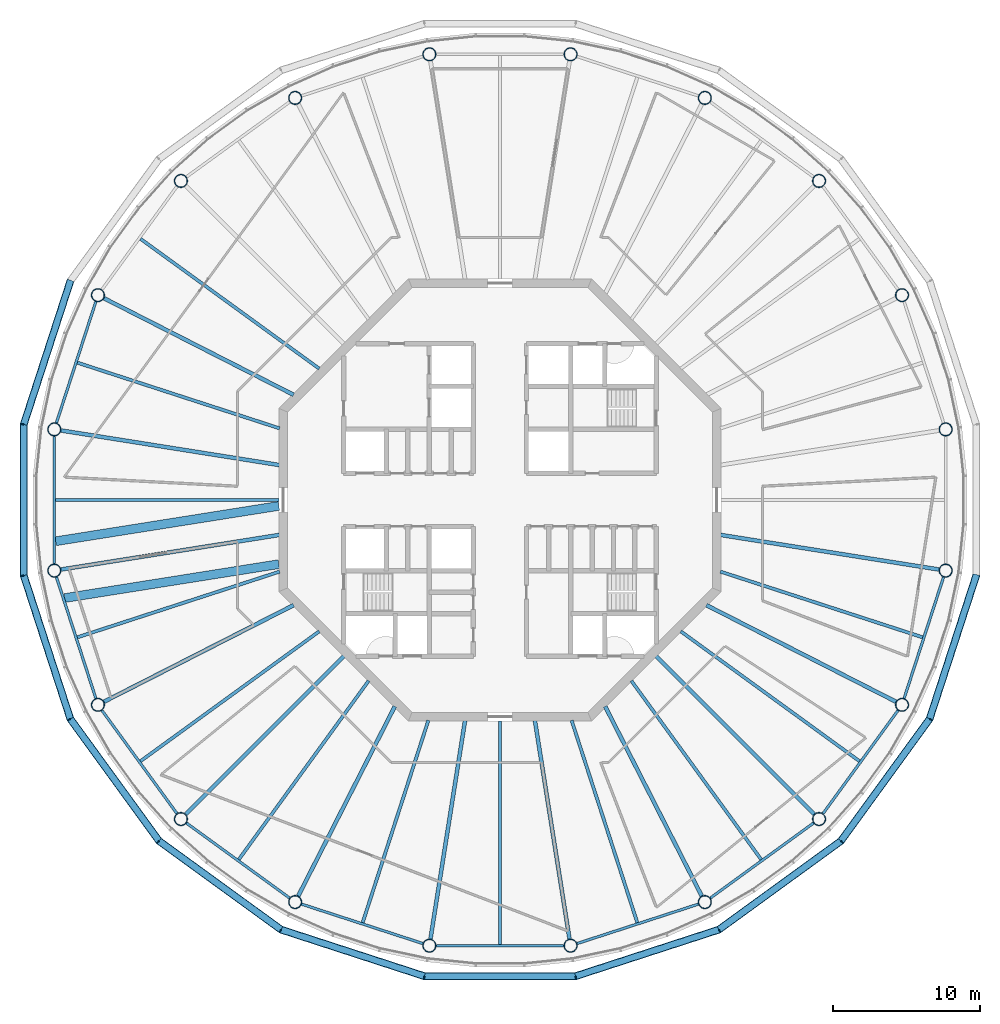
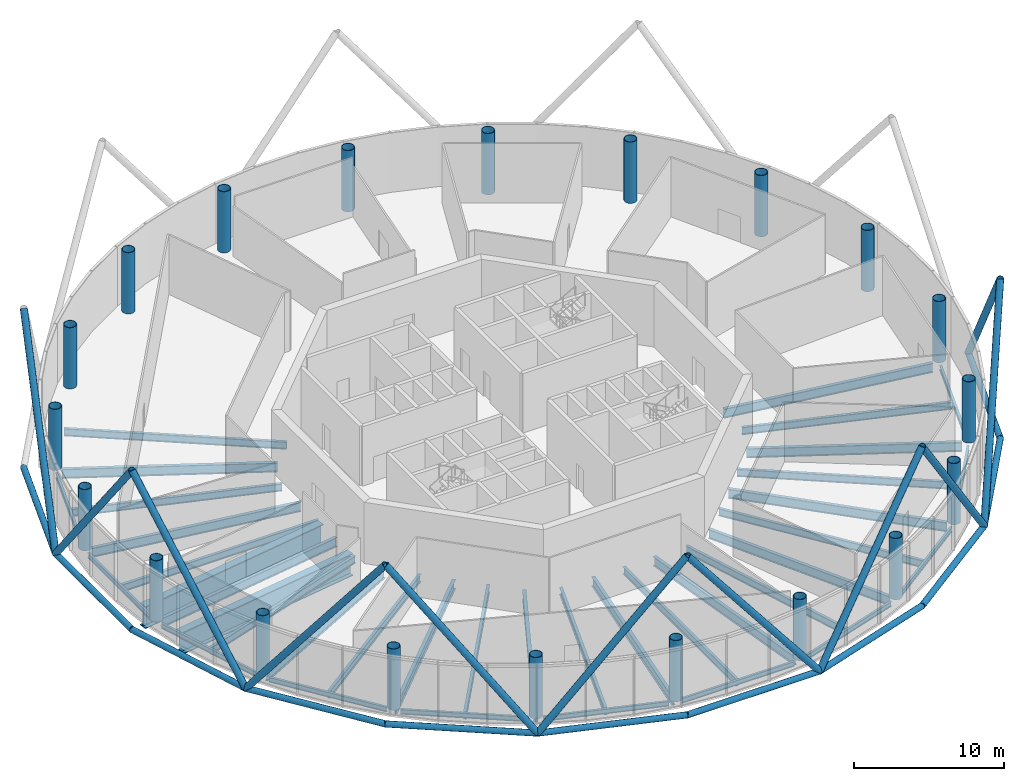
# One storey, part 1 of 13: 37 beams, 22 members, 20 columns.
"""IFC4 building model written with IfcOpenShell, lengths in metres."""

from ifc_helpers import new_model, si_unit, direction, frame, origin, origin_2d, place, context, subcontext, project, spatial, circle, hollow_circle, i_section, extrude, material, material_profile, profile_set, type_object, element, save


model = new_model("IFC4")

# Units and contexts
model_context = context("Model", 3, precision=1e-05, world=origin(), true_north=direction((0.0, 1.0)))
body_context = subcontext(model_context, "Body", "Model", "MODEL_VIEW")
ifc_project = project(units=[si_unit("LENGTHUNIT", "METRE"), si_unit("AREAUNIT", "SQUARE_METRE"), si_unit("VOLUMEUNIT", "CUBIC_METRE"), si_unit("PLANEANGLEUNIT", "RADIAN"), si_unit("MASSUNIT", "GRAM", prefix="KILO")], contexts=[model_context])

# Site, building, storey
site_placement = place(None, origin())
site = spatial("IfcSite", under=ifc_project, at=site_placement, CompositionType="ELEMENT")
building_placement = place(site_placement, origin())
building = spatial("IfcBuilding", under=site, at=building_placement, Name="Entoto Ring Tower", CompositionType="ELEMENT")
storey_placement = place(building_placement, frame((0.0, 0.0, 402.0)))
storey = spatial("IfcBuildingStorey", under=building, at=storey_placement, Name="L92", CompositionType="ELEMENT", Elevation=402.0)

# Columns
ifc_material_1 = material(Name="Steel S355", Category="steel")
ifc_material_profile_1 = material_profile(ifc_material_1, hollow_circle(Radius=0.449951171875, WallThickness=0.0400390625, at=origin_2d()), Name="CHS 900 x 40")
ifc_material_2 = material(Name="Concrete C60/75", Category="concrete")
ifc_material_profile_2 = material_profile(ifc_material_2, circle(Radius=0.409912109375, at=origin_2d()), Name="Concrete C60/75 infill")
ifc_profile_set_1 = profile_set([ifc_material_profile_1, ifc_material_profile_2], Name="Steel S355")
column_type = type_object("IfcColumnType", Name="Ring column 900 x 40 concrete-filled tube", PredefinedType="COLUMN", material=ifc_profile_set_1)
for number, where, z_axis, x_axis, name in (
    (1, (120.22314453125, 84.786865234375, 0.0), (0.0, 0.0, 1.0), (1.0, 0.0, 0.0), "RC6 R01"),
    (2, (117.264892578125, 93.89208984375, 0.0), (0.0, 0.0, 1.0), (1.0, 0.0, 0.0), "RC6 R02"),
    (3, (111.637451171875, 101.637451171875, 0.0), (0.0, 0.0, 1.0), (1.0, 0.0, 0.0), "RC6 R03"),
    (4, (103.89208984375, 107.264892578125, 0.0), (0.0, 0.0, 1.0), (1.0, 0.0, 0.0), "RC6 R04"),
    (5, (94.786865234375, 110.22314453125, 0.0), (0.0, 0.0, 1.0), (1.0, 0.0, 0.0), "RC6 R05"),
    (6, (85.213134765625, 110.22314453125, 0.0), (0.0, 0.0, 1.0), (1.0, 0.0, 0.0), "RC6 R06"),
    (7, (76.10791015625, 107.264892578125, 0.0), (0.0, 0.0, 1.0), (1.0, 0.0, 0.0), "RC6 R07"),
    (8, (68.362548828125, 101.637451171875, 0.0), (0.0, 0.0, 1.0), (1.0, 0.0, 0.0), "RC6 R08"),
    (9, (62.735107421875, 93.89208984375, 0.0), (0.0, 0.0, 1.0), (1.0, 0.0, 0.0), "RC6 R09"),
    (10, (59.77685546875, 84.786865234375, 0.0), (0.0, 0.0, 1.0), (1.0, 0.0, 0.0), "RC6 R10"),
    (11, (59.77685546875, 75.213134765625, 0.0), (0.0, 0.0, 1.0), (1.0, 0.0, 0.0), "RC6 R11"),
    (12, (62.735107421875, 66.10791015625, 0.0), (0.0, 0.0, 1.0), (1.0, 0.0, 0.0), "RC6 R12"),
    (13, (68.362548828125, 58.362548828125, 0.0), (0.0, 0.0, 1.0), (1.0, 0.0, 0.0), "RC6 R13"),
    (14, (76.10791015625, 52.735107421875, 0.0), (0.0, 0.0, 1.0), (1.0, 0.0, 0.0), "RC6 R14"),
    (15, (85.213134765625, 49.77685546875, 0.0), (0.0, 0.0, 1.0), (1.0, 0.0, 0.0), "RC6 R15"),
    (16, (94.786865234375, 49.77685546875, 0.0), (0.0, 0.0, 1.0), (1.0, 0.0, 0.0), "RC6 R16"),
    (17, (103.89208984375, 52.735107421875, 0.0), (0.0, 0.0, 1.0), (1.0, 0.0, 0.0), "RC6 R17"),
    (18, (111.637451171875, 58.362548828125, 0.0), (0.0, 0.0, 1.0), (1.0, 0.0, 0.0), "RC6 R18"),
    (19, (117.264892578125, 66.10791015625, 0.0), (0.0, 0.0, 1.0), (1.0, 0.0, 0.0), "RC6 R19"),
    (20, (120.22314453125, 75.213134765625, 0.0), (0.0, 0.0, 1.0), (1.0, 0.0, 0.0), "RC6 R20"),
):
    element("IfcColumn", number, at=place(storey_placement, frame(where, z_axis=z_axis, x_axis=x_axis)), inside=storey, type_object=column_type, Name=name, PredefinedType="COLUMN", context=body_context, shape_type="SweptSolid", body=[
        extrude(hollow_circle(Radius=0.449951171875, WallThickness=0.0400390625, at=origin_2d()), origin(), (0.0, 0.0, 1.0), 5.0),
    ])

# Beams
ifc_material_3 = material(Name="Steel S355", Category="steel")
ifc_material_profile_3 = material_profile(ifc_material_3, i_section(OverallWidth=0.60009765625, OverallDepth=1.800048828125, WebThickness=0.0400390625, FlangeThickness=0.06005859375, at=origin_2d()), Name="PG 1800 x 600")
ifc_profile_set_2 = profile_set([ifc_material_profile_3], Name="Steel S355")
beam_type_1 = type_object("IfcBeamType", Name="Damper support girder 1800 x 600", PredefinedType="BEAM", material=ifc_profile_set_2)
beam_1_placement = place(storey_placement, frame((75.0, 79.5986328125, -1.050048828125), z_axis=(-0.987687399912, -0.156440404161, 0.0), x_axis=(0.156440404161, -0.987687399912, 0.0)))
element("IfcBeam", 21, at=beam_1_placement, inside=storey, type_object=beam_type_1, Name="TG1 L92 1", PredefinedType="BEAM", context=body_context, shape_type="SweptSolid", body=[
    extrude(i_section(OverallWidth=0.60009765625, OverallDepth=1.800048828125, WebThickness=0.0400390625, FlangeThickness=0.06005859375, at=origin_2d()), origin(), (0.0, 0.0, 1.0), 15.322021484375),
])
beam_2_placement = place(storey_placement, frame((75.0, 75.64990234375, -1.050048828125), z_axis=(-0.987687866514, -0.15643745824, 0.0), x_axis=(0.15643745824, -0.987687866514, 0.0)))
element("IfcBeam", 22, at=beam_2_placement, inside=storey, type_object=beam_type_1, Name="TG1 L92 2", PredefinedType="BEAM", context=body_context, shape_type="SweptSolid", body=[
    extrude(i_section(OverallWidth=0.60009765625, OverallDepth=1.800048828125, WebThickness=0.0400390625, FlangeThickness=0.06005859375, at=origin_2d()), origin(), (0.0, 0.0, 1.0), 14.704345703125),
])

# Members
ifc_material_4 = material(Name="Steel S355", Category="steel")
ifc_material_profile_4 = material_profile(ifc_material_4, hollow_circle(Radius=0.25390625, WallThickness=0.030029296875, at=origin_2d()), Name="CHS 508 x 30")
ifc_material_5 = material(Name="Concrete C60/75", Category="concrete")
ifc_material_profile_5 = material_profile(ifc_material_5, circle(Radius=0.22412109375, at=origin_2d()), Name="Concrete C60/75 infill")
ifc_profile_set_3 = profile_set([ifc_material_profile_4, ifc_material_profile_5], Name="Steel S355")
member_type_1 = type_object("IfcMemberType", Name="Diagrid diagonal 508 x 30 concrete-filled tube", PredefinedType="BRACE", material=ifc_profile_set_3)
for number, where, z_axis, x_axis, name in (
    (23, (57.70263671875, 85.115478515625, 0.0), (0.191101988777, 0.588167322629, 0.785836643633), (-0.95105896794, 0.309009448885, 0.0), "DG7 module 30 09"),
    (24, (57.70263671875, 85.115478515625, 0.0), (0.0, -0.618444448493, 0.785828520816), (1.0, 0.0, 0.0), "DG7 module 30 10"),
    (25, (60.864013671875, 65.154541015625, 0.0), (-0.191101988777, 0.588167322629, 0.785836643633), (-0.95105896794, -0.309009448885, 0.0), "DG7 module 30 11"),
    (26, (60.864013671875, 65.154541015625, 0.0), (0.363517787948, -0.500323970729, 0.785831242799), (0.809008424404, 0.587797047665, 0.0), "DG7 module 30 12"),
    (27, (75.154541015625, 50.864013671875, 0.0), (-0.500323970729, 0.363517787948, 0.785831242799), (-0.587797047665, -0.809008424404, 0.0), "DG7 module 30 13"),
    (28, (75.154541015625, 50.864013671875, 0.0), (0.588167322629, -0.191101988777, 0.785836643633), (0.309009448885, 0.95105896794, 0.0), "DG7 module 30 14"),
    (29, (95.115478515625, 47.70263671875, 0.0), (-0.618444448493, 0.0, 0.785828520816), (0.0, -1.0, 0.0), "DG7 module 30 15"),
    (30, (95.115478515625, 47.70263671875, 0.0), (0.588167322629, 0.191101988777, 0.785836643633), (-0.309009448885, 0.95105896794, 0.0), "DG7 module 30 16"),
    (31, (113.122314453125, 56.877685546875, 0.0), (-0.500323970729, -0.363517787948, 0.785831242799), (0.587797047665, -0.809008424404, 0.0), "DG7 module 30 17"),
    (32, (113.122314453125, 56.877685546875, 0.0), (0.363517787948, 0.500323970729, 0.785831242799), (-0.809008424404, 0.587797047665, 0.0), "DG7 module 30 18"),
    (33, (122.29736328125, 74.884521484375, 0.0), (-0.191101988777, -0.588167322629, 0.785836643633), (0.95105896794, -0.309009448885, 0.0), "DG7 module 30 19"),
):
    element("IfcMember", number, at=place(storey_placement, frame(where, z_axis=z_axis, x_axis=x_axis)), inside=storey, type_object=member_type_1, Name=name, PredefinedType="BRACE", context=body_context, shape_type="SweptSolid", body=[
        extrude(hollow_circle(Radius=0.25390625, WallThickness=0.030029296875, at=origin_2d()), origin(), (0.0, 0.0, 1.0), 16.54296875),
    ])
ifc_material_6 = material(Name="Steel S355", Category="steel")
ifc_material_profile_6 = material_profile(ifc_material_6, hollow_circle(Radius=0.228515625, WallThickness=0.02001953125, at=origin_2d()), Name="CHS 457 x 20")
ifc_material_7 = material(Name="Concrete C60/75", Category="concrete")
ifc_material_profile_7 = material_profile(ifc_material_7, circle(Radius=0.20849609375, at=origin_2d()), Name="Concrete C60/75 infill")
ifc_profile_set_4 = profile_set([ifc_material_profile_6, ifc_material_profile_7], Name="Steel S355")
member_type_2 = type_object("IfcMemberType", Name="Diagrid ring beam 457 x 20", PredefinedType="CHORD", material=ifc_profile_set_4)
member_1_placement = place(storey_placement, frame((60.88134765625, 94.89892578125, 0.0), z_axis=(-0.309002809244, -0.951061125206, 0.0), x_axis=(0.951061125206, -0.309002809244, 0.0)))
element("IfcMember", 34, at=member_1_placement, inside=storey, type_object=member_type_2, Name="DR3 ring 29 08", PredefinedType="CHORD", context=body_context, shape_type="SweptSolid", body=[
    extrude(hollow_circle(Radius=0.228515625, WallThickness=0.02001953125, at=origin_2d()), origin(), (0.0, 0.0, 1.0), 10.343017578125),
])
member_2_placement = place(storey_placement, frame((57.70263671875, 85.171630859375, 0.0), z_axis=(0.0, -1.0, 0.0), x_axis=(1.0, 0.0, 0.0)))
element("IfcMember", 35, at=member_2_placement, inside=storey, type_object=member_type_2, Name="DR3 ring 29 09", PredefinedType="CHORD", context=body_context, shape_type="SweptSolid", body=[
    extrude(hollow_circle(Radius=0.228515625, WallThickness=0.02001953125, at=origin_2d()), origin(), (0.0, 0.0, 1.0), 10.34326171875),
])
member_3_placement = place(storey_placement, frame((57.685302734375, 74.93798828125, 0.0), z_axis=(0.309002809244, -0.951061125206, 0.0), x_axis=(0.951061125206, 0.309002809244, 0.0)))
element("IfcMember", 36, at=member_3_placement, inside=storey, type_object=member_type_2, Name="DR3 ring 29 10", PredefinedType="CHORD", context=body_context, shape_type="SweptSolid", body=[
    extrude(hollow_circle(Radius=0.228515625, WallThickness=0.02001953125, at=origin_2d()), origin(), (0.0, 0.0, 1.0), 10.343017578125),
])
for number, where, z_axis, x_axis, name in (
    (37, (60.8310546875, 65.199951171875, 0.0), (0.587781465034, -0.809019745966, 0.0), (0.809019745966, 0.587781465034, 0.0), "DR3 ring 29 11"),
    (38, (66.83203125, 56.91064453125, 0.0), (0.809019745966, -0.587781465034, 0.0), (0.587781465034, 0.809019745966, 0.0), "DR3 ring 29 12"),
):
    element("IfcMember", number, at=place(storey_placement, frame(where, z_axis=z_axis, x_axis=x_axis)), inside=storey, type_object=member_type_2, Name=name, PredefinedType="CHORD", context=body_context, shape_type="SweptSolid", body=[
        extrude(hollow_circle(Radius=0.228515625, WallThickness=0.02001953125, at=origin_2d()), origin(), (0.0, 0.0, 1.0), 10.34326171875),
    ])
member_4_placement = place(storey_placement, frame((75.10107421875, 50.88134765625, 0.0), z_axis=(0.951061125206, -0.309002809244, 0.0), x_axis=(0.309002809244, 0.951061125206, 0.0)))
element("IfcMember", 39, at=member_4_placement, inside=storey, type_object=member_type_2, Name="DR3 ring 29 13", PredefinedType="CHORD", context=body_context, shape_type="SweptSolid", body=[
    extrude(hollow_circle(Radius=0.228515625, WallThickness=0.02001953125, at=origin_2d()), origin(), (0.0, 0.0, 1.0), 10.343017578125),
])
member_5_placement = place(storey_placement, frame((84.828369140625, 47.70263671875, 0.0), z_axis=(1.0, 0.0, 0.0), x_axis=(0.0, 1.0, 0.0)))
element("IfcMember", 40, at=member_5_placement, inside=storey, type_object=member_type_2, Name="DR3 ring 29 14", PredefinedType="CHORD", context=body_context, shape_type="SweptSolid", body=[
    extrude(hollow_circle(Radius=0.228515625, WallThickness=0.02001953125, at=origin_2d()), origin(), (0.0, 0.0, 1.0), 10.34326171875),
])
member_6_placement = place(storey_placement, frame((95.06201171875, 47.685302734375, 0.0), z_axis=(0.951061125206, 0.309002809244, 0.0), x_axis=(-0.309002809244, 0.951061125206, 0.0)))
element("IfcMember", 41, at=member_6_placement, inside=storey, type_object=member_type_2, Name="DR3 ring 29 15", PredefinedType="CHORD", context=body_context, shape_type="SweptSolid", body=[
    extrude(hollow_circle(Radius=0.228515625, WallThickness=0.02001953125, at=origin_2d()), origin(), (0.0, 0.0, 1.0), 10.343017578125),
])
for number, where, z_axis, x_axis, name in (
    (42, (104.800048828125, 50.8310546875, 0.0), (0.809019745966, 0.587781465034, 0.0), (-0.587781465034, 0.809019745966, 0.0), "DR3 ring 29 16"),
    (43, (113.08935546875, 56.83203125, 0.0), (0.587781465034, 0.809019745966, 0.0), (-0.809019745966, 0.587781465034, 0.0), "DR3 ring 29 17"),
):
    element("IfcMember", number, at=place(storey_placement, frame(where, z_axis=z_axis, x_axis=x_axis)), inside=storey, type_object=member_type_2, Name=name, PredefinedType="CHORD", context=body_context, shape_type="SweptSolid", body=[
        extrude(hollow_circle(Radius=0.228515625, WallThickness=0.02001953125, at=origin_2d()), origin(), (0.0, 0.0, 1.0), 10.34326171875),
    ])
member_7_placement = place(storey_placement, frame((119.11865234375, 65.10107421875, 0.0), z_axis=(0.309002809244, 0.951061125206, 0.0), x_axis=(-0.951061125206, 0.309002809244, 0.0)))
element("IfcMember", 44, at=member_7_placement, inside=storey, type_object=member_type_2, Name="DR3 ring 29 18", PredefinedType="CHORD", context=body_context, shape_type="SweptSolid", body=[
    extrude(hollow_circle(Radius=0.228515625, WallThickness=0.02001953125, at=origin_2d()), origin(), (0.0, 0.0, 1.0), 10.343017578125),
])

# Beams
ifc_material_8 = material(Name="Steel S355", Category="steel")
ifc_material_profile_8 = material_profile(ifc_material_8, i_section(OverallWidth=0.179931640625, OverallDepth=0.39990234375, WebThickness=0.008544921875, FlangeThickness=0.013427734375, FilletRadius=0.02099609375, at=origin_2d()), Name="IPE 400")
ifc_profile_set_5 = profile_set([ifc_material_profile_8], Name="Steel S355")
beam_type_2 = type_object("IfcBeamType", Name="Edge beam IPE 400", PredefinedType="SPANDREL", material=ifc_profile_set_5)
beam_3_placement = place(storey_placement, frame((62.58935546875, 93.443359375, -0.35009765625), z_axis=(-0.309004833211, -0.951060467611, 0.0), x_axis=(0.951060467611, -0.309004833211, 0.0)))
element("IfcBeam", 45, at=beam_3_placement, inside=storey, type_object=beam_type_2, Name="Edge beam L92 09", PredefinedType="SPANDREL", context=body_context, shape_type="SweptSolid", body=[
    extrude(i_section(OverallWidth=0.179931640625, OverallDepth=0.39990234375, WebThickness=0.008544921875, FlangeThickness=0.013427734375, FilletRadius=0.02099609375, at=origin_2d()), origin(), (0.0, 0.0, 1.0), 8.630126953125),
])
beam_4_placement = place(storey_placement, frame((59.77685546875, 84.315185546875, -0.35009765625), z_axis=(0.0, -1.0, 0.0), x_axis=(1.0, 0.0, 0.0)))
element("IfcBeam", 46, at=beam_4_placement, inside=storey, type_object=beam_type_2, Name="Edge beam L92 10", PredefinedType="SPANDREL", context=body_context, shape_type="SweptSolid", body=[
    extrude(i_section(OverallWidth=0.179931640625, OverallDepth=0.39990234375, WebThickness=0.008544921875, FlangeThickness=0.013427734375, FilletRadius=0.02099609375, at=origin_2d()), origin(), (0.0, 0.0, 1.0), 8.63037109375),
])
beam_5_placement = place(storey_placement, frame((59.922607421875, 74.764404296875, -0.35009765625), z_axis=(0.309004833211, -0.951060467611, 0.0), x_axis=(0.951060467611, 0.309004833211, 0.0)))
element("IfcBeam", 47, at=beam_5_placement, inside=storey, type_object=beam_type_2, Name="Edge beam L92 11", PredefinedType="SPANDREL", context=body_context, shape_type="SweptSolid", body=[
    extrude(i_section(OverallWidth=0.179931640625, OverallDepth=0.39990234375, WebThickness=0.008544921875, FlangeThickness=0.013427734375, FilletRadius=0.02099609375, at=origin_2d()), origin(), (0.0, 0.0, 1.0), 8.630126953125),
])
for number, where, z_axis, x_axis, name in (
    (48, (63.012451171875, 65.726318359375, -0.35009765625), (0.587778035872, -0.809022237362, 0.0), (0.809022237362, 0.587778035872, 0.0), "Edge beam L92 12"),
    (49, (68.744140625, 58.085205078125, -0.35009765625), (0.809022237362, -0.587778035872, 0.0), (0.587778035872, 0.809022237362, 0.0), "Edge beam L92 13"),
):
    element("IfcBeam", number, at=place(storey_placement, frame(where, z_axis=z_axis, x_axis=x_axis)), inside=storey, type_object=beam_type_2, Name=name, PredefinedType="SPANDREL", context=body_context, shape_type="SweptSolid", body=[
        extrude(i_section(OverallWidth=0.179931640625, OverallDepth=0.39990234375, WebThickness=0.008544921875, FlangeThickness=0.013427734375, FilletRadius=0.02099609375, at=origin_2d()), origin(), (0.0, 0.0, 1.0), 8.63037109375),
    ])
beam_6_placement = place(storey_placement, frame((76.556640625, 52.58935546875, -0.35009765625), z_axis=(0.951060467611, -0.309004833211, 0.0), x_axis=(0.309004833211, 0.951060467611, 0.0)))
element("IfcBeam", 50, at=beam_6_placement, inside=storey, type_object=beam_type_2, Name="Edge beam L92 14", PredefinedType="SPANDREL", context=body_context, shape_type="SweptSolid", body=[
    extrude(i_section(OverallWidth=0.179931640625, OverallDepth=0.39990234375, WebThickness=0.008544921875, FlangeThickness=0.013427734375, FilletRadius=0.02099609375, at=origin_2d()), origin(), (0.0, 0.0, 1.0), 8.630126953125),
])
beam_7_placement = place(storey_placement, frame((85.684814453125, 49.77685546875, -0.35009765625), z_axis=(1.0, 0.0, 0.0), x_axis=(0.0, 1.0, 0.0)))
element("IfcBeam", 51, at=beam_7_placement, inside=storey, type_object=beam_type_2, Name="Edge beam L92 15", PredefinedType="SPANDREL", context=body_context, shape_type="SweptSolid", body=[
    extrude(i_section(OverallWidth=0.179931640625, OverallDepth=0.39990234375, WebThickness=0.008544921875, FlangeThickness=0.013427734375, FilletRadius=0.02099609375, at=origin_2d()), origin(), (0.0, 0.0, 1.0), 8.63037109375),
])
beam_8_placement = place(storey_placement, frame((95.235595703125, 49.922607421875, -0.35009765625), z_axis=(0.951060467611, 0.309004833211, 0.0), x_axis=(-0.309004833211, 0.951060467611, 0.0)))
element("IfcBeam", 52, at=beam_8_placement, inside=storey, type_object=beam_type_2, Name="Edge beam L92 16", PredefinedType="SPANDREL", context=body_context, shape_type="SweptSolid", body=[
    extrude(i_section(OverallWidth=0.179931640625, OverallDepth=0.39990234375, WebThickness=0.008544921875, FlangeThickness=0.013427734375, FilletRadius=0.02099609375, at=origin_2d()), origin(), (0.0, 0.0, 1.0), 8.630126953125),
])
for number, where, z_axis, x_axis, name in (
    (53, (104.273681640625, 53.012451171875, -0.35009765625), (0.809022237362, 0.587778035872, 0.0), (-0.587778035872, 0.809022237362, 0.0), "Edge beam L92 17"),
    (54, (111.914794921875, 58.744140625, -0.35009765625), (0.587778035872, 0.809022237362, 0.0), (-0.809022237362, 0.587778035872, 0.0), "Edge beam L92 18"),
):
    element("IfcBeam", number, at=place(storey_placement, frame(where, z_axis=z_axis, x_axis=x_axis)), inside=storey, type_object=beam_type_2, Name=name, PredefinedType="SPANDREL", context=body_context, shape_type="SweptSolid", body=[
        extrude(i_section(OverallWidth=0.179931640625, OverallDepth=0.39990234375, WebThickness=0.008544921875, FlangeThickness=0.013427734375, FilletRadius=0.02099609375, at=origin_2d()), origin(), (0.0, 0.0, 1.0), 8.63037109375),
    ])
beam_9_placement = place(storey_placement, frame((117.41064453125, 66.556640625, -0.35009765625), z_axis=(0.309004833211, 0.951060467611, 0.0), x_axis=(-0.951060467611, 0.309004833211, 0.0)))
element("IfcBeam", 55, at=beam_9_placement, inside=storey, type_object=beam_type_2, Name="Edge beam L92 19", PredefinedType="SPANDREL", context=body_context, shape_type="SweptSolid", body=[
    extrude(i_section(OverallWidth=0.179931640625, OverallDepth=0.39990234375, WebThickness=0.008544921875, FlangeThickness=0.013427734375, FilletRadius=0.02099609375, at=origin_2d()), origin(), (0.0, 0.0, 1.0), 8.630126953125),
])
ifc_material_9 = material(Name="Steel S355", Category="steel")
ifc_material_profile_9 = material_profile(ifc_material_9, i_section(OverallWidth=0.262939453125, OverallDepth=0.7529296875, WebThickness=0.011474609375, FlangeThickness=0.01708984375, FilletRadius=0.01708984375, at=origin_2d()), Name="IPE 750 x 137")
ifc_profile_set_6 = profile_set([ifc_material_profile_9], Name="Steel S355")
beam_type_3 = type_object("IfcBeamType", Name="Primary floor beam IPE 750 x 137", PredefinedType="BEAM", material=ifc_profile_set_6)
beam_10_placement = place(storey_placement, frame((76.0029296875, 87.1318359375, -0.526611328125), z_axis=(-0.891007082672, 0.453989403652, 0.0), x_axis=(-0.453989403652, -0.891007082672, 0.0)))
element("IfcBeam", 56, at=beam_10_placement, inside=storey, type_object=beam_type_3, Name="Primary L92 R09", PredefinedType="BEAM", context=body_context, shape_type="SweptSolid", body=[
    extrude(i_section(OverallWidth=0.262939453125, OverallDepth=0.7529296875, WebThickness=0.011474609375, FlangeThickness=0.01708984375, FilletRadius=0.01708984375, at=origin_2d()), origin(), (0.0, 0.0, 1.0), 14.42822265625),
])
for number, where, z_axis, x_axis, name in (
    (57, (75.040283203125, 82.369384765625, -0.526611328125), (-0.987687983091, 0.156436722214, 0.0), (-0.156436722214, -0.987687983091, 0.0), "Primary L92 R10"),
    (58, (75.040283203125, 77.630615234375, -0.526611328125), (-0.987687983091, -0.156436722214, 0.0), (0.156436722214, -0.987687983091, 0.0), "Primary L92 R11"),
):
    element("IfcBeam", number, at=place(storey_placement, frame(where, z_axis=z_axis, x_axis=x_axis)), inside=storey, type_object=beam_type_3, Name=name, PredefinedType="BEAM", context=body_context, shape_type="SweptSolid", body=[
        extrude(i_section(OverallWidth=0.262939453125, OverallDepth=0.7529296875, WebThickness=0.011474609375, FlangeThickness=0.01708984375, FilletRadius=0.01708984375, at=origin_2d()), origin(), (0.0, 0.0, 1.0), 14.991455078125),
    ])
beam_11_placement = place(storey_placement, frame((76.0029296875, 72.8681640625, -0.526611328125), z_axis=(-0.891007082672, -0.453989403652, 0.0), x_axis=(0.453989403652, -0.891007082672, 0.0)))
element("IfcBeam", 59, at=beam_11_placement, inside=storey, type_object=beam_type_3, Name="Primary L92 R12", PredefinedType="BEAM", context=body_context, shape_type="SweptSolid", body=[
    extrude(i_section(OverallWidth=0.262939453125, OverallDepth=0.7529296875, WebThickness=0.011474609375, FlangeThickness=0.01708984375, FilletRadius=0.01708984375, at=origin_2d()), origin(), (0.0, 0.0, 1.0), 14.42822265625),
])
beam_12_placement = place(storey_placement, frame((79.407470703125, 69.407470703125, -0.526611328125), z_axis=(-0.707106781187, -0.707106781187, 0.0), x_axis=(0.707106781187, -0.707106781187, 0.0)))
element("IfcBeam", 60, at=beam_12_placement, inside=storey, type_object=beam_type_3, Name="Primary L92 R13", PredefinedType="BEAM", context=body_context, shape_type="SweptSolid", body=[
    extrude(i_section(OverallWidth=0.262939453125, OverallDepth=0.7529296875, WebThickness=0.011474609375, FlangeThickness=0.01708984375, FilletRadius=0.01708984375, at=origin_2d()), origin(), (0.0, 0.0, 1.0), 15.157470703125),
])
beam_13_placement = place(storey_placement, frame((82.8681640625, 66.0029296875, -0.526611328125), z_axis=(-0.453989403652, -0.891007082672, 0.0), x_axis=(0.891007082672, -0.453989403652, 0.0)))
element("IfcBeam", 61, at=beam_13_placement, inside=storey, type_object=beam_type_3, Name="Primary L92 R14", PredefinedType="BEAM", context=body_context, shape_type="SweptSolid", body=[
    extrude(i_section(OverallWidth=0.262939453125, OverallDepth=0.7529296875, WebThickness=0.011474609375, FlangeThickness=0.01708984375, FilletRadius=0.01708984375, at=origin_2d()), origin(), (0.0, 0.0, 1.0), 14.42822265625),
])
for number, where, z_axis, x_axis, name in (
    (62, (87.630615234375, 65.040283203125, -0.526611328125), (-0.156436722214, -0.987687983091, 0.0), (0.987687983091, -0.156436722214, 0.0), "Primary L92 R15"),
    (63, (92.369384765625, 65.040283203125, -0.526611328125), (0.156436722214, -0.987687983091, 0.0), (0.987687983091, 0.156436722214, 0.0), "Primary L92 R16"),
):
    element("IfcBeam", number, at=place(storey_placement, frame(where, z_axis=z_axis, x_axis=x_axis)), inside=storey, type_object=beam_type_3, Name=name, PredefinedType="BEAM", context=body_context, shape_type="SweptSolid", body=[
        extrude(i_section(OverallWidth=0.262939453125, OverallDepth=0.7529296875, WebThickness=0.011474609375, FlangeThickness=0.01708984375, FilletRadius=0.01708984375, at=origin_2d()), origin(), (0.0, 0.0, 1.0), 14.991455078125),
    ])
beam_14_placement = place(storey_placement, frame((97.1318359375, 66.0029296875, -0.526611328125), z_axis=(0.453989403652, -0.891007082672, 0.0), x_axis=(0.891007082672, 0.453989403652, 0.0)))
element("IfcBeam", 64, at=beam_14_placement, inside=storey, type_object=beam_type_3, Name="Primary L92 R17", PredefinedType="BEAM", context=body_context, shape_type="SweptSolid", body=[
    extrude(i_section(OverallWidth=0.262939453125, OverallDepth=0.7529296875, WebThickness=0.011474609375, FlangeThickness=0.01708984375, FilletRadius=0.01708984375, at=origin_2d()), origin(), (0.0, 0.0, 1.0), 14.42822265625),
])
beam_15_placement = place(storey_placement, frame((100.592529296875, 69.407470703125, -0.526611328125), z_axis=(0.707106781187, -0.707106781187, 0.0), x_axis=(0.707106781187, 0.707106781187, 0.0)))
element("IfcBeam", 65, at=beam_15_placement, inside=storey, type_object=beam_type_3, Name="Primary L92 R18", PredefinedType="BEAM", context=body_context, shape_type="SweptSolid", body=[
    extrude(i_section(OverallWidth=0.262939453125, OverallDepth=0.7529296875, WebThickness=0.011474609375, FlangeThickness=0.01708984375, FilletRadius=0.01708984375, at=origin_2d()), origin(), (0.0, 0.0, 1.0), 15.157470703125),
])
beam_16_placement = place(storey_placement, frame((103.9970703125, 72.8681640625, -0.526611328125), z_axis=(0.891007082672, -0.453989403652, 0.0), x_axis=(0.453989403652, 0.891007082672, 0.0)))
element("IfcBeam", 66, at=beam_16_placement, inside=storey, type_object=beam_type_3, Name="Primary L92 R19", PredefinedType="BEAM", context=body_context, shape_type="SweptSolid", body=[
    extrude(i_section(OverallWidth=0.262939453125, OverallDepth=0.7529296875, WebThickness=0.011474609375, FlangeThickness=0.01708984375, FilletRadius=0.01708984375, at=origin_2d()), origin(), (0.0, 0.0, 1.0), 14.42822265625),
])
beam_17_placement = place(storey_placement, frame((104.959716796875, 77.630615234375, -0.526611328125), z_axis=(0.987687983091, -0.156436722214, 0.0), x_axis=(0.156436722214, 0.987687983091, 0.0)))
element("IfcBeam", 67, at=beam_17_placement, inside=storey, type_object=beam_type_3, Name="Primary L92 R20", PredefinedType="BEAM", context=body_context, shape_type="SweptSolid", body=[
    extrude(i_section(OverallWidth=0.262939453125, OverallDepth=0.7529296875, WebThickness=0.011474609375, FlangeThickness=0.01708984375, FilletRadius=0.01708984375, at=origin_2d()), origin(), (0.0, 0.0, 1.0), 14.991455078125),
])
ifc_material_10 = material(Name="Steel S355", Category="steel")
ifc_material_profile_10 = material_profile(ifc_material_10, i_section(OverallWidth=0.219970703125, OverallDepth=0.60009765625, WebThickness=0.011962890625, FlangeThickness=0.01904296875, FilletRadius=0.02392578125, at=origin_2d()), Name="IPE 600")
ifc_profile_set_7 = profile_set([ifc_material_profile_10], Name="Steel S355")
beam_type_4 = type_object("IfcBeamType", Name="Secondary floor beam IPE 600", PredefinedType="JOIST", material=ifc_profile_set_7)
beam_18_placement = place(storey_placement, frame((77.74365234375, 88.90478515625, -0.449951171875), z_axis=(-0.809019238239, 0.587782163866, 0.0), x_axis=(-0.587782163866, -0.809019238239, 0.0)))
element("IfcBeam", 68, at=beam_18_placement, inside=storey, type_object=beam_type_4, Name="Secondary beam L92 08", PredefinedType="JOIST", context=body_context, shape_type="SweptSolid", body=[
    extrude(i_section(OverallWidth=0.219970703125, OverallDepth=0.60009765625, WebThickness=0.011962890625, FlangeThickness=0.01904296875, FilletRadius=0.02392578125, at=origin_2d()), origin(), (0.0, 0.0, 1.0), 14.983642578125),
])
beam_19_placement = place(storey_placement, frame((75.052978515625, 84.856689453125, -0.449951171875), z_axis=(-0.951057212949, 0.309014850288, 0.0), x_axis=(-0.309014850288, -0.951057212949, 0.0)))
element("IfcBeam", 69, at=beam_19_placement, inside=storey, type_object=beam_type_4, Name="Secondary beam L92 09", PredefinedType="JOIST", context=body_context, shape_type="SweptSolid", body=[
    extrude(i_section(OverallWidth=0.219970703125, OverallDepth=0.60009765625, WebThickness=0.011962890625, FlangeThickness=0.01904296875, FilletRadius=0.02392578125, at=origin_2d()), origin(), (0.0, 0.0, 1.0), 14.4169921875),
])
beam_20_placement = place(storey_placement, frame((75.02001953125, 80.0, -0.449951171875), z_axis=(-1.0, 0.0, 0.0), x_axis=(0.0, -1.0, 0.0)))
element("IfcBeam", 70, at=beam_20_placement, inside=storey, type_object=beam_type_4, Name="Secondary beam L92 10", PredefinedType="JOIST", context=body_context, shape_type="SweptSolid", body=[
    extrude(i_section(OverallWidth=0.219970703125, OverallDepth=0.60009765625, WebThickness=0.011962890625, FlangeThickness=0.01904296875, FilletRadius=0.02392578125, at=origin_2d()), origin(), (0.0, 0.0, 1.0), 15.1533203125),
])
beam_21_placement = place(storey_placement, frame((75.052978515625, 75.143310546875, -0.449951171875), z_axis=(-0.951057212949, -0.309014850288, 0.0), x_axis=(0.309014850288, -0.951057212949, 0.0)))
element("IfcBeam", 71, at=beam_21_placement, inside=storey, type_object=beam_type_4, Name="Secondary beam L92 11", PredefinedType="JOIST", context=body_context, shape_type="SweptSolid", body=[
    extrude(i_section(OverallWidth=0.219970703125, OverallDepth=0.60009765625, WebThickness=0.011962890625, FlangeThickness=0.01904296875, FilletRadius=0.02392578125, at=origin_2d()), origin(), (0.0, 0.0, 1.0), 14.4169921875),
])
for number, where, z_axis, x_axis, name in (
    (72, (77.74365234375, 71.09521484375, -0.449951171875), (-0.809019238239, -0.587782163866, 0.0), (0.587782163866, -0.809019238239, 0.0), "Secondary beam L92 12"),
    (73, (81.09521484375, 67.74365234375, -0.449951171875), (-0.587782163866, -0.809019238239, 0.0), (0.809019238239, -0.587782163866, 0.0), "Secondary beam L92 13"),
):
    element("IfcBeam", number, at=place(storey_placement, frame(where, z_axis=z_axis, x_axis=x_axis)), inside=storey, type_object=beam_type_4, Name=name, PredefinedType="JOIST", context=body_context, shape_type="SweptSolid", body=[
        extrude(i_section(OverallWidth=0.219970703125, OverallDepth=0.60009765625, WebThickness=0.011962890625, FlangeThickness=0.01904296875, FilletRadius=0.02392578125, at=origin_2d()), origin(), (0.0, 0.0, 1.0), 14.983642578125),
    ])
beam_22_placement = place(storey_placement, frame((85.143310546875, 65.052978515625, -0.449951171875), z_axis=(-0.309014850288, -0.951057212949, 0.0), x_axis=(0.951057212949, -0.309014850288, 0.0)))
element("IfcBeam", 74, at=beam_22_placement, inside=storey, type_object=beam_type_4, Name="Secondary beam L92 14", PredefinedType="JOIST", context=body_context, shape_type="SweptSolid", body=[
    extrude(i_section(OverallWidth=0.219970703125, OverallDepth=0.60009765625, WebThickness=0.011962890625, FlangeThickness=0.01904296875, FilletRadius=0.02392578125, at=origin_2d()), origin(), (0.0, 0.0, 1.0), 14.4169921875),
])
beam_23_placement = place(storey_placement, frame((90.0, 65.02001953125, -0.449951171875), z_axis=(0.0, -1.0, 0.0), x_axis=(1.0, 0.0, 0.0)))
element("IfcBeam", 75, at=beam_23_placement, inside=storey, type_object=beam_type_4, Name="Secondary beam L92 15", PredefinedType="JOIST", context=body_context, shape_type="SweptSolid", body=[
    extrude(i_section(OverallWidth=0.219970703125, OverallDepth=0.60009765625, WebThickness=0.011962890625, FlangeThickness=0.01904296875, FilletRadius=0.02392578125, at=origin_2d()), origin(), (0.0, 0.0, 1.0), 15.1533203125),
])
beam_24_placement = place(storey_placement, frame((94.856689453125, 65.052978515625, -0.449951171875), z_axis=(0.309014850288, -0.951057212949, 0.0), x_axis=(0.951057212949, 0.309014850288, 0.0)))
element("IfcBeam", 76, at=beam_24_placement, inside=storey, type_object=beam_type_4, Name="Secondary beam L92 16", PredefinedType="JOIST", context=body_context, shape_type="SweptSolid", body=[
    extrude(i_section(OverallWidth=0.219970703125, OverallDepth=0.60009765625, WebThickness=0.011962890625, FlangeThickness=0.01904296875, FilletRadius=0.02392578125, at=origin_2d()), origin(), (0.0, 0.0, 1.0), 14.4169921875),
])
for number, where, z_axis, x_axis, name in (
    (77, (98.90478515625, 67.74365234375, -0.449951171875), (0.587782163866, -0.809019238239, 0.0), (0.809019238239, 0.587782163866, 0.0), "Secondary beam L92 17"),
    (78, (102.25634765625, 71.09521484375, -0.449951171875), (0.809019238239, -0.587782163866, 0.0), (0.587782163866, 0.809019238239, 0.0), "Secondary beam L92 18"),
):
    element("IfcBeam", number, at=place(storey_placement, frame(where, z_axis=z_axis, x_axis=x_axis)), inside=storey, type_object=beam_type_4, Name=name, PredefinedType="JOIST", context=body_context, shape_type="SweptSolid", body=[
        extrude(i_section(OverallWidth=0.219970703125, OverallDepth=0.60009765625, WebThickness=0.011962890625, FlangeThickness=0.01904296875, FilletRadius=0.02392578125, at=origin_2d()), origin(), (0.0, 0.0, 1.0), 14.983642578125),
    ])
beam_25_placement = place(storey_placement, frame((104.947021484375, 75.143310546875, -0.449951171875), z_axis=(0.951057212949, -0.309014850288, 0.0), x_axis=(0.309014850288, 0.951057212949, 0.0)))
element("IfcBeam", 79, at=beam_25_placement, inside=storey, type_object=beam_type_4, Name="Secondary beam L92 19", PredefinedType="JOIST", context=body_context, shape_type="SweptSolid", body=[
    extrude(i_section(OverallWidth=0.219970703125, OverallDepth=0.60009765625, WebThickness=0.011962890625, FlangeThickness=0.01904296875, FilletRadius=0.02392578125, at=origin_2d()), origin(), (0.0, 0.0, 1.0), 14.4169921875),
])

save(model, "model.ifc")
